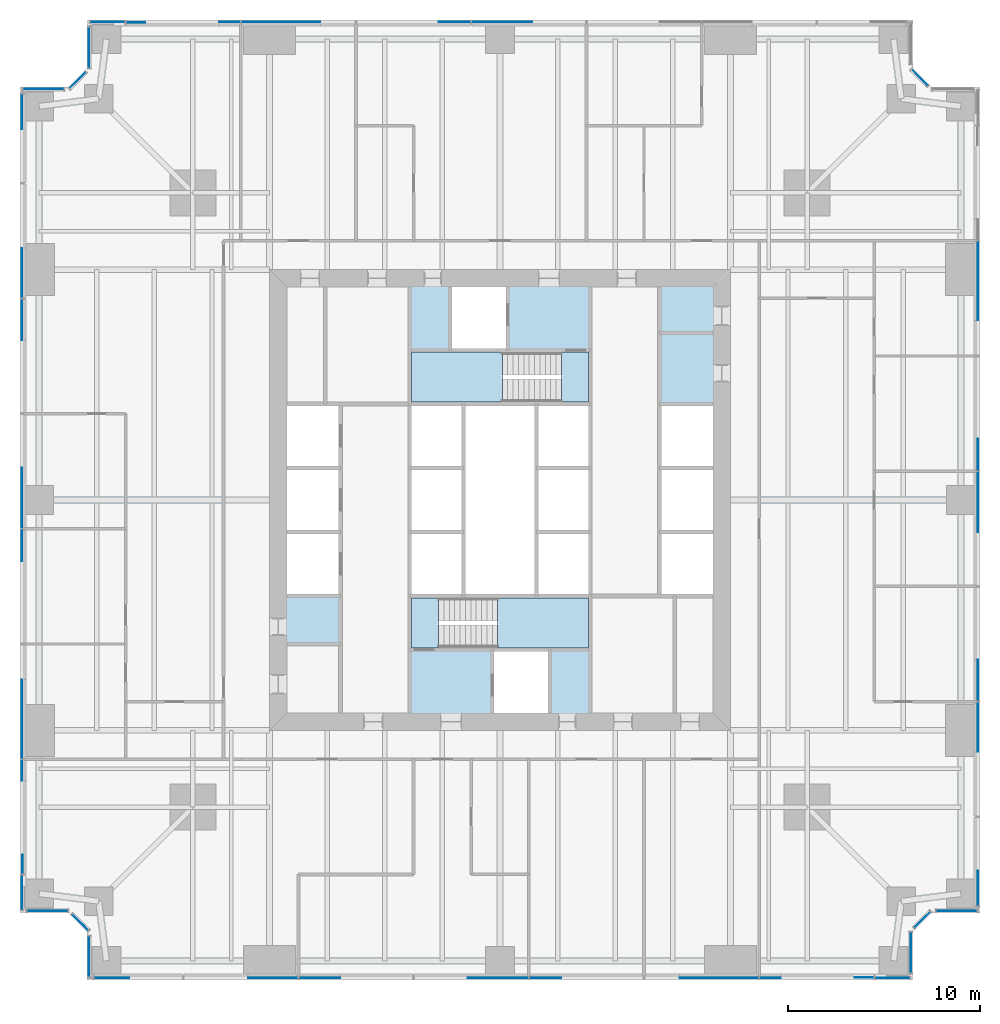
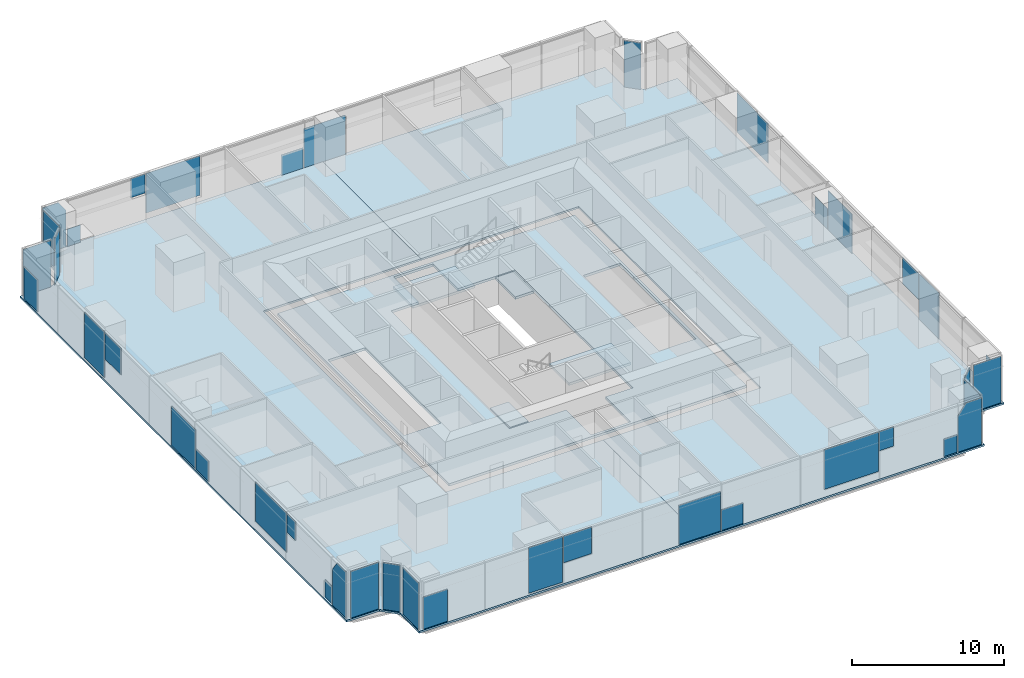
# One storey, part 8 of 14: 40 plates, 7 slabs, 16 elements without a shape of their own.
"""IFC4 building model written with IfcOpenShell, lengths in metres."""

import ifcopenshell
import ifcopenshell.guid

model = None  # the IFC model being written
_history = None  # IfcOwnerHistory: only IFC2X3 demands one
_inside = {}  # id of a spatial element -> (the spatial element, [elements in it])
_under = {}  # id of a project, library or spatial element -> (it, [spatial elements below it])
_declared = {}  # id of a project -> (the project, [libraries it declares])
_typed = {}  # id of a type object -> (the type object, [elements of that type])
_made_of = {}  # id of a material, layer set ... -> (it, [elements and type objects made of it])


def new_model(schema):
    """Start an empty IFC model of exactly this schema.

    Asked for "IFC4X3", IfcOpenShell would pick the latest addendum, in which some entities
    have other attributes; the version numbers below select the first issue.
    IFC2X3 requires an IfcOwnerHistory on every rooted entity: one is made here for all.
    """
    global model, _history
    if schema == "IFC4X3":
        model = ifcopenshell.file(schema_version=(4, 3, 0, 0))
    else:
        model = ifcopenshell.file(schema=schema)
    _inside.clear()
    _under.clear()
    _declared.clear()
    _typed.clear()
    _made_of.clear()
    _history = None
    if model.schema == "IFC2X3":
        org = make("IfcOrganization", Name="unknown")
        user = make(
            "IfcPersonAndOrganization",
            ThePerson=make("IfcPerson", FamilyName="unknown"),
            TheOrganization=org,
        )
        app = make(
            "IfcApplication",
            ApplicationDeveloper=org,
            Version="unknown",
            ApplicationFullName="unknown",
            ApplicationIdentifier="unknown",
        )
        _history = make(
            "IfcOwnerHistory",
            OwningUser=user,
            OwningApplication=app,
            ChangeAction="ADDED",
            CreationDate=0,
        )
    return model


def make(cls, **values):
    """One entity of the class cls with the attributes given. An attribute that is None is left unset."""
    return model.create_entity(
        cls, **{name: value for name, value in values.items() if value is not None}
    )


def rooted(cls, **values):
    """An entity with a GlobalId (a new one), such as an element, a storey or a relation."""
    return make(cls, GlobalId=ifcopenshell.guid.new(), OwnerHistory=_history, **values)


def si_unit(unit_type, name, prefix=None):
    """IfcSIUnit, for example si_unit("LENGTHUNIT", "METRE", prefix="MILLI")."""
    return make("IfcSIUnit", UnitType=unit_type, Prefix=prefix, Name=name)


def assignment(units):
    """IfcUnitAssignment: the units of a project."""
    return None if units is None else make("IfcUnitAssignment", Units=units)


def point(xyz):
    """IfcCartesianPoint."""
    return None if xyz is None else make("IfcCartesianPoint", Coordinates=xyz)


def direction(xyz):
    """IfcDirection."""
    return None if xyz is None else make("IfcDirection", DirectionRatios=xyz)


def frame(location, z_axis=None, x_axis=None):
    """IfcAxis2Placement3D, a coordinate frame: its origin and axes. An axis left out is left unset."""
    return make(
        "IfcAxis2Placement3D",
        Location=point(location),
        Axis=direction(z_axis),
        RefDirection=direction(x_axis),
    )


def frame_2d(location, x_axis=None):
    """IfcAxis2Placement2D, a coordinate frame in the plane: its origin and x axis."""
    return make(
        "IfcAxis2Placement2D", Location=point(location), RefDirection=direction(x_axis)
    )


def origin():
    """The frame at (0, 0, 0) with its axes left unset."""
    return frame((0.0, 0.0, 0.0))


def origin_2d():
    """The frame at (0, 0) in the plane with its x axis left unset."""
    return frame_2d((0.0, 0.0))


def place(relative_to, where):
    """IfcLocalPlacement: puts the frame where relative to a parent placement (None: the world)."""
    return make(
        "IfcLocalPlacement", PlacementRelTo=relative_to, RelativePlacement=where
    )


def context(
    kind, dimensions, precision=None, world=None, true_north=None, identifier=None
):
    """IfcGeometricRepresentationContext, for example the 3D "Model" context."""
    return make(
        "IfcGeometricRepresentationContext",
        ContextIdentifier=identifier,
        ContextType=kind,
        CoordinateSpaceDimension=dimensions,
        Precision=precision,
        WorldCoordinateSystem=world,
        TrueNorth=true_north,
    )


def subcontext(parent, identifier, kind, view, scale=None):
    """IfcGeometricRepresentationSubContext, for example "Body" below "Model"."""
    return make(
        "IfcGeometricRepresentationSubContext",
        ContextIdentifier=identifier,
        ContextType=kind,
        ParentContext=parent,
        TargetScale=scale,
        TargetView=view,
    )


def project(units=None, contexts=None):
    """IfcProject with its units and contexts."""
    return rooted(
        "IfcProject",
        Name="project",
        RepresentationContexts=contexts,
        UnitsInContext=assignment(units),
    )


def spatial(cls, under=None, at=None, **own):
    """A site, building, storey or space (cls), placed at a placement, below another one or the project."""
    s = rooted(cls, ObjectPlacement=at, **own)
    if under is not None:
        _under.setdefault(under.id(), (under, []))[1].append(s)
    return s


def polyline(points):
    """IfcPolyline through the points."""
    return make("IfcPolyline", Points=[point(p) for p in points])


def profile(cls, at=None, kind="AREA", **sizes):
    """A parametric profile (cls). Its sizes go by their IFC names, for example OverallWidth=200.0."""
    return make(cls, ProfileType=kind, Position=at, **sizes)


def rectangle(**sizes):
    """IfcRectangleProfileDef."""
    return profile("IfcRectangleProfileDef", **sizes)


def outline(outer, holes=None, kind="AREA"):
    """IfcArbitraryClosedProfileDef: a profile drawn as a closed curve; with holes, ...WithVoids."""
    if holes is None:
        return make("IfcArbitraryClosedProfileDef", ProfileType=kind, OuterCurve=outer)
    return make(
        "IfcArbitraryProfileDefWithVoids",
        ProfileType=kind,
        OuterCurve=outer,
        InnerCurves=holes,
    )


def extrude(swept, where, along, depth):
    """IfcExtrudedAreaSolid: the profile swept, set in the frame where, extruded along a direction by depth."""
    return make(
        "IfcExtrudedAreaSolid",
        SweptArea=swept,
        Position=where,
        ExtrudedDirection=direction(along),
        Depth=depth,
    )


def shape(context_of_items, identifier, shape_type, items):
    """IfcShapeRepresentation: the items that make up one representation, for example the "Body"."""
    return make(
        "IfcShapeRepresentation",
        ContextOfItems=context_of_items,
        RepresentationIdentifier=identifier,
        RepresentationType=shape_type,
        Items=items,
    )


def material(Name=None, Category=None):
    """IfcMaterial."""
    return make("IfcMaterial", Name=Name, Category=Category)


def layer(
    of_material, thickness, ventilated=None, Name=None, Category=None, Priority=None
):
    """IfcMaterialLayer: one layer of a wall or slab, of a material (None: an air gap)."""
    return make(
        "IfcMaterialLayer",
        Material=of_material,
        LayerThickness=thickness,
        IsVentilated=ventilated,
        Name=Name,
        Category=Category,
        Priority=Priority,
    )


def layer_set(layers, Name=None):
    """IfcMaterialLayerSet."""
    return make("IfcMaterialLayerSet", MaterialLayers=layers, LayerSetName=Name)


def made_of(thing, what):
    """Note that an element or type object is made of a material, layer set ...; save() writes the relation."""
    if what is not None:
        _made_of.setdefault(what.id(), (what, []))[1].append(thing)
    return thing


def type_object(cls, material=None, **own):
    """A type object (cls), such as IfcWallType, which elements share."""
    return made_of(rooted(cls, **own), material)


def element(
    cls,
    number,
    at=None,
    inside=None,
    cuts=None,
    type_object=None,
    material=None,
    context=None,
    identifier="Body",
    shape_type=None,
    held_by="IfcProductDefinitionShape",
    body=None,
    shapes=None,
    **own,
):
    """One element of the class cls, such as IfcWall. Its Tag is "e" and its number.

    at: its placement. inside: the storey or other place that contains it. cuts: it is an
    opening in that element (IfcRelVoidsElement). A single representation is given by context,
    identifier, shape_type and body (its items); several are given by shapes. held_by: the class
    of the entity that holds the representations. save() writes the other relations.
    """
    e = rooted(cls, Tag="e%d" % number, ObjectPlacement=at, **own)
    if body is not None:
        shapes = [shape(context, identifier, shape_type, body)]
    if shapes is not None:
        e.Representation = make(held_by, Representations=shapes)
    if inside is not None:
        _inside.setdefault(inside.id(), (inside, []))[1].append(e)
    if cuts is not None:
        rooted(
            "IfcRelVoidsElement", RelatingBuildingElement=cuts, RelatedOpeningElement=e
        )
    if type_object is not None:
        _typed.setdefault(type_object.id(), (type_object, []))[1].append(e)
    return made_of(e, material)


def aggregate(whole, parts):
    """IfcRelAggregates: a whole, such as a stair, and the parts it consists of."""
    return rooted("IfcRelAggregates", RelatingObject=whole, RelatedObjects=parts)


def save(model, path):
    """Write the relations noted so far, then the file.

    IfcRelAggregates (storeys below a building ...), IfcRelContainedInSpatialStructure (elements
    in a storey), IfcRelDefinesByType, IfcRelAssociatesMaterial and IfcRelDeclares: one each for
    every whole, place, type object, material and project.
    """
    for whole, parts in _under.values():
        aggregate(whole, parts)
    for where, things in _inside.values():
        rooted(
            "IfcRelContainedInSpatialStructure",
            RelatedElements=things,
            RelatingStructure=where,
        )
    for kind, things in _typed.values():
        rooted("IfcRelDefinesByType", RelatedObjects=things, RelatingType=kind)
    for what, things in _made_of.values():
        rooted("IfcRelAssociatesMaterial", RelatedObjects=things, RelatingMaterial=what)
    for by, libraries in _declared.values():
        rooted("IfcRelDeclares", RelatingContext=by, RelatedDefinitions=libraries)
    model.write(path)


model = new_model("IFC4")

# Units and contexts
model_context = context("Model", 3, precision=1e-05, world=origin(), true_north=direction((0.0, 1.0)))
body_context = subcontext(model_context, "Body", "Model", "MODEL_VIEW")
ifc_project = project(units=[si_unit("LENGTHUNIT", "METRE"), si_unit("AREAUNIT", "SQUARE_METRE"), si_unit("VOLUMEUNIT", "CUBIC_METRE"), si_unit("PLANEANGLEUNIT", "RADIAN"), si_unit("MASSUNIT", "GRAM", prefix="KILO")], contexts=[model_context])

# Site, building, storey
site_placement = place(None, origin())
site = spatial("IfcSite", under=ifc_project, at=site_placement, CompositionType="ELEMENT")
building_placement = place(site_placement, origin())
building = spatial("IfcBuilding", under=site, at=building_placement, Name="Fenwick Lantern Interchange", CompositionType="ELEMENT")
storey_placement = place(building_placement, frame((0.0, 0.0, 35.0)))
storey = spatial("IfcBuildingStorey", under=building, at=storey_placement, Name="L07", CompositionType="ELEMENT", Elevation=35.0)

# Slabs
ifc_material_1 = material(Name="Concrete f'c 35 MPa", Category="concrete")
ifc_layer_1 = layer(ifc_material_1, 0.199951171875)
ifc_layer_set_1 = layer_set([ifc_layer_1], Name="CORE FLOOR SLAB 200")
slab_type_1 = type_object("IfcSlabType", Name="CORE FLOOR SLAB 200", PredefinedType="FLOOR", material=ifc_layer_set_1)
slab_1_placement = place(storey_placement, frame((0.0, 0.0, -0.199951171875)))
element("IfcSlab", 1, at=slab_1_placement, inside=storey, type_object=slab_type_1, Name="L07/SLAB/CORE", PredefinedType="FLOOR", context=body_context, shape_type="SweptSolid", body=[
    extrude(outline(polyline([(13.699951171875, 36.300048828125), (36.300048828125, 36.300048828125), (36.300048828125, 13.699951171875), (13.699951171875, 13.699951171875), (13.699951171875, 36.300048828125)]), holes=[polyline([(13.89990234375, 20.0), (16.699951171875, 20.0), (16.699951171875, 23.333251953125), (16.699951171875, 26.666748046875), (16.699951171875, 30.0), (13.89990234375, 30.0), (13.89990234375, 26.666748046875), (13.89990234375, 23.333251953125), (13.89990234375, 20.0)]), polyline([(20.300048828125, 20.0), (20.300048828125, 17.199951171875), (24.60009765625, 17.199951171875), (24.60009765625, 13.89990234375), (27.60009765625, 13.89990234375), (27.60009765625, 17.199951171875), (29.699951171875, 17.199951171875), (29.699951171875, 20.0), (29.699951171875, 23.333251953125), (29.699951171875, 26.666748046875), (29.699951171875, 30.0), (29.699951171875, 32.800048828125), (25.39990234375, 32.800048828125), (25.39990234375, 36.10009765625), (22.39990234375, 36.10009765625), (22.39990234375, 32.800048828125), (20.300048828125, 32.800048828125), (20.300048828125, 30.0), (20.300048828125, 26.666748046875), (20.300048828125, 23.333251953125), (20.300048828125, 20.0)]), polyline([(33.300048828125, 23.333251953125), (33.300048828125, 20.0), (36.10009765625, 20.0), (36.10009765625, 23.333251953125), (36.10009765625, 26.666748046875), (36.10009765625, 30.0), (33.300048828125, 30.0), (33.300048828125, 26.666748046875), (33.300048828125, 23.333251953125)])]), origin(), (0.0, 0.0, 1.0), 0.199951171875),
])
ifc_material_2 = material(Name="Concrete f'c 35 MPa", Category="concrete")
ifc_layer_2 = layer(ifc_material_2, 0.14990234375)
ifc_layer_set_2 = layer_set([ifc_layer_2], Name="Concrete f'c 35 MPa")
slab_type_2 = type_object("IfcSlabType", Name="FLOOR SLAB 150", PredefinedType="FLOOR", material=ifc_layer_set_2)
slab_2_placement = place(storey_placement, frame((0.0, 0.0, -0.14990234375)))
element("IfcSlab", 2, at=slab_2_placement, inside=storey, type_object=slab_type_2, Name="L07/SLAB/FW", PredefinedType="FLOOR", context=body_context, shape_type="SweptSolid", body=[
    extrude(outline(polyline([(3.5, 0.0), (3.5, 2.5), (2.5, 3.5), (0.0, 3.5), (0.0, 46.5), (2.5, 46.5), (3.5, 47.5), (3.5, 50.0), (25.0, 50.0), (25.0, 37.0), (13.0, 37.0), (13.0, 13.0), (25.0, 13.0), (25.0, 0.0), (3.5, 0.0)])), origin(), (0.0, 0.0, 1.0), 0.14990234375),
])
slab_3_placement = place(storey_placement, frame((0.0, 0.0, -0.14990234375)))
element("IfcSlab", 3, at=slab_3_placement, inside=storey, type_object=slab_type_2, Name="L07/SLAB/FE", PredefinedType="FLOOR", context=body_context, shape_type="SweptSolid", body=[
    extrude(outline(polyline([(46.5, 50.0), (46.5, 47.5), (47.5, 46.5), (50.0, 46.5), (50.0, 3.5), (47.5, 3.5), (46.5, 2.5), (46.5, 0.0), (25.0, 0.0), (25.0, 13.0), (37.0, 13.0), (37.0, 37.0), (25.0, 37.0), (25.0, 50.0), (46.5, 50.0)])), origin(), (0.0, 0.0, 1.0), 0.14990234375),
])

# Curtain wall, plates
ifc_material_3 = material(Name="Aluminium curtain wall frame", Category="aluminium")
curtain_wall_type = type_object("IfcCurtainWallType", Name="OFFICE CURTAIN WALL", PredefinedType="USERDEFINED", material=ifc_material_3)
curtain_wall_1_placement = place(storey_placement, origin())
curtain_wall_1 = element("IfcCurtainWall", 4, at=curtain_wall_1_placement, inside=storey, type_object=curtain_wall_type, Name="Office curtain wall 01", ObjectType="OFFICE CURTAIN WALL", PredefinedType="USERDEFINED")
ifc_material_4 = material(Name="Vision glass, clear low-iron double glazed", Category="glass")
ifc_layer_3 = layer(ifc_material_4, 0.031982421875)
ifc_layer_set_3 = layer_set([ifc_layer_3], Name="OFFICE CURTAIN WALL PANEL 32")
plate_type = type_object("IfcPlateType", Name="OFFICE CURTAIN WALL PANEL 32", PredefinedType="CURTAIN_PANEL", material=ifc_layer_set_3)
plate_1_placement = place(storey_placement, frame((3.60009765625, 0.10009765625, 0.0), z_axis=(0.0, 0.0, 1.0), x_axis=(1.0, 0.0, 0.0)))
plate_1 = element("IfcPlate", 5, at=plate_1_placement, type_object=plate_type, Name="L07/CW/01/P00a", PredefinedType="CURTAIN_PANEL", context=body_context, shape_type="SweptSolid", body=[
    extrude(outline(polyline([(0.264892578125, 0.0), (2.094970703125, 0.0), (2.094970703125, 2.5869140625), (0.264892578125, 2.5869140625), (0.264892578125, 0.0)])), frame((0.0, 0.01611328125, 0.0), z_axis=(0.0, -1.0, 0.0), x_axis=(1.0, 0.0, 0.0)), (0.0, 0.0, 1.0), 0.031982421875),
])
plate_2_placement = place(storey_placement, frame((3.60009765625, 0.10009765625, 0.08056640625), z_axis=(0.0, 0.0, 1.0), x_axis=(1.0, 0.0, 0.0)))
plate_2 = element("IfcPlate", 6, at=plate_2_placement, type_object=plate_type, Name="L07/CW/01/P01a", PredefinedType="CURTAIN_PANEL", context=body_context, shape_type="SweptSolid", body=[
    extrude(outline(polyline([(8.27685546875, 0.0), (10.867431640625, 0.0), (10.867431640625, 3.66943359375), (8.27685546875, 3.66943359375), (8.27685546875, 0.0)])), frame((0.0, 0.01611328125, 0.0), z_axis=(0.0, -1.0, 0.0), x_axis=(1.0, 0.0, 0.0)), (0.0, 0.0, 1.0), 0.031982421875),
])
plate_3_placement = place(storey_placement, frame((3.60009765625, 0.10009765625, 1.60595703125), z_axis=(0.0, 0.0, 1.0), x_axis=(1.0, 0.0, 0.0)))
plate_3 = element("IfcPlate", 7, at=plate_3_placement, type_object=plate_type, Name="L07/CW/01/P02a", PredefinedType="CURTAIN_PANEL", context=body_context, shape_type="SweptSolid", body=[
    extrude(outline(polyline([(10.9326171875, 0.0), (13.077392578125, 0.0), (13.077392578125, 2.14404296875), (10.9326171875, 2.14404296875), (10.9326171875, 0.0)])), frame((0.0, 0.01611328125, 0.0), z_axis=(0.0, -1.0, 0.0), x_axis=(1.0, 0.0, 0.0)), (0.0, 0.0, 1.0), 0.031982421875),
])
plate_4_placement = place(storey_placement, frame((3.60009765625, 0.10009765625, 0.0), z_axis=(0.0, 0.0, 1.0), x_axis=(1.0, 0.0, 0.0)))
plate_4 = element("IfcPlate", 8, at=plate_4_placement, type_object=plate_type, Name="L07/CW/01/P03a", PredefinedType="CURTAIN_PANEL", context=body_context, shape_type="SweptSolid", body=[
    extrude(outline(polyline([(19.71240234375, 0.0), (22.867431640625, 0.0), (22.867431640625, 3.15625), (19.71240234375, 3.15625), (19.71240234375, 0.0)])), frame((0.0, 0.01611328125, 0.0), z_axis=(0.0, -1.0, 0.0), x_axis=(1.0, 0.0, 0.0)), (0.0, 0.0, 1.0), 0.031982421875),
])
plate_5_placement = place(storey_placement, frame((3.60009765625, 0.10009765625, 0.0), z_axis=(0.0, 0.0, 1.0), x_axis=(1.0, 0.0, 0.0)))
plate_5 = element("IfcPlate", 9, at=plate_5_placement, type_object=plate_type, Name="L07/CW/01/P04a", PredefinedType="CURTAIN_PANEL", context=body_context, shape_type="SweptSolid", body=[
    extrude(outline(polyline([(22.9326171875, 0.0), (24.58740234375, 0.0), (24.58740234375, 1.65380859375), (22.9326171875, 1.65380859375), (22.9326171875, 0.0)])), frame((0.0, 0.01611328125, 0.0), z_axis=(0.0, -1.0, 0.0), x_axis=(1.0, 0.0, 0.0)), (0.0, 0.0, 1.0), 0.031982421875),
])
plate_6_placement = place(storey_placement, frame((3.60009765625, 0.10009765625, 0.5693359375), z_axis=(0.0, 0.0, 1.0), x_axis=(1.0, 0.0, 0.0)))
plate_6 = element("IfcPlate", 10, at=plate_6_placement, type_object=plate_type, Name="L07/CW/01/P05a", PredefinedType="CURTAIN_PANEL", context=body_context, shape_type="SweptSolid", body=[
    extrude(outline(polyline([(30.757568359375, 0.0), (34.867431640625, 0.0), (34.867431640625, 3.1806640625), (30.757568359375, 3.1806640625), (30.757568359375, 0.0)])), frame((0.0, 0.01611328125, 0.0), z_axis=(0.0, -1.0, 0.0), x_axis=(1.0, 0.0, 0.0)), (0.0, 0.0, 1.0), 0.031982421875),
])
plate_7_placement = place(storey_placement, frame((3.60009765625, 0.10009765625, 2.207763671875), z_axis=(0.0, 0.0, 1.0), x_axis=(1.0, 0.0, 0.0)))
plate_7 = element("IfcPlate", 11, at=plate_7_placement, type_object=plate_type, Name="L07/CW/01/P06a", PredefinedType="CURTAIN_PANEL", context=body_context, shape_type="SweptSolid", body=[
    extrude(outline(polyline([(34.9326171875, 0.0), (36.027587890625, 0.0), (36.027587890625, 1.542236328125), (34.9326171875, 1.542236328125), (34.9326171875, 0.0)])), frame((0.0, 0.01611328125, 0.0), z_axis=(0.0, -1.0, 0.0), x_axis=(1.0, 0.0, 0.0)), (0.0, 0.0, 1.0), 0.031982421875),
])
plate_8_placement = place(storey_placement, frame((3.60009765625, 0.10009765625, 0.0), z_axis=(0.0, 0.0, 1.0), x_axis=(1.0, 0.0, 0.0)))
plate_8 = element("IfcPlate", 12, at=plate_8_placement, type_object=plate_type, Name="L07/CW/01/P06b", PredefinedType="CURTAIN_PANEL", context=body_context, shape_type="SweptSolid", body=[
    extrude(outline(polyline([(39.87060546875, 0.0), (40.867431640625, 0.0), (40.867431640625, 1.406982421875), (39.87060546875, 1.406982421875), (39.87060546875, 0.0)])), frame((0.0, 0.0498046875, 0.0), z_axis=(0.0, -1.0, 0.0), x_axis=(1.0, 0.0, 0.0)), (0.0, 0.0, 1.0), 0.031982421875),
])
plate_9_placement = place(storey_placement, frame((3.60009765625, 0.10009765625, 0.0), z_axis=(0.0, 0.0, 1.0), x_axis=(1.0, 0.0, 0.0)))
plate_9 = element("IfcPlate", 13, at=plate_9_placement, type_object=plate_type, Name="L07/CW/01/P07a", PredefinedType="CURTAIN_PANEL", context=body_context, shape_type="SweptSolid", body=[
    extrude(outline(polyline([(40.9326171875, 0.0), (42.735107421875, 0.0), (42.735107421875, 3.75), (41.527587890625, 3.75), (40.9326171875, 2.90869140625), (40.9326171875, 0.0)])), frame((0.0, 0.01611328125, 0.0), z_axis=(0.0, -1.0, 0.0), x_axis=(1.0, 0.0, 0.0)), (0.0, 0.0, 1.0), 0.031982421875),
])
aggregate(curtain_wall_1, [plate_1, plate_2, plate_3, plate_4, plate_5, plate_6, plate_7, plate_8, plate_9])

# Curtain wall, plate
curtain_wall_2_placement = place(storey_placement, origin())
curtain_wall_2 = element("IfcCurtainWall", 14, at=curtain_wall_2_placement, inside=storey, type_object=curtain_wall_type, Name="Office curtain wall 02", ObjectType="OFFICE CURTAIN WALL", PredefinedType="USERDEFINED")
plate_10_placement = place(storey_placement, frame((46.39990234375, 1.420654296875, 0.0), z_axis=(0.0, 0.0, 1.0), x_axis=(0.0, 1.0, 0.0)))
plate_10 = element("IfcPlate", 15, at=plate_10_placement, type_object=plate_type, Name="L07/CW/02/P00", PredefinedType="CURTAIN_PANEL", context=body_context, shape_type="SweptSolid", body=[
    extrude(rectangle(XDim=2.111328125, YDim=0.031982421875, at=origin_2d()), origin(), (0.0, 0.0, 1.0), 3.75),
])
aggregate(curtain_wall_2, [plate_10])

curtain_wall_3_placement = place(storey_placement, origin())
curtain_wall_3 = element("IfcCurtainWall", 16, at=curtain_wall_3_placement, inside=storey, type_object=curtain_wall_type, Name="Office curtain wall 03", ObjectType="OFFICE CURTAIN WALL", PredefinedType="USERDEFINED")
plate_11_placement = place(storey_placement, frame((47.0, 3.141357421875, 0.0), z_axis=(0.0, 0.0, 1.0), x_axis=(0.707106781187, 0.707106781187, 0.0)))
plate_11 = element("IfcPlate", 17, at=plate_11_placement, type_object=plate_type, Name="L07/CW/03/P00", PredefinedType="CURTAIN_PANEL", context=body_context, shape_type="SweptSolid", body=[
    extrude(rectangle(XDim=1.1669921875, YDim=0.031982421875, at=origin_2d()), origin(), (0.0, 0.0, 1.0), 3.75),
])
aggregate(curtain_wall_3, [plate_11])

curtain_wall_4_placement = place(storey_placement, origin())
curtain_wall_4 = element("IfcCurtainWall", 18, at=curtain_wall_4_placement, inside=storey, type_object=curtain_wall_type, Name="Office curtain wall 04", ObjectType="OFFICE CURTAIN WALL", PredefinedType="USERDEFINED")
plate_12_placement = place(storey_placement, frame((48.779296875, 3.60009765625, 0.0), z_axis=(0.0, 0.0, 1.0), x_axis=(1.0, 0.0, 0.0)))
plate_12 = element("IfcPlate", 19, at=plate_12_placement, type_object=plate_type, Name="L07/CW/04/P00", PredefinedType="CURTAIN_PANEL", context=body_context, shape_type="SweptSolid", body=[
    extrude(rectangle(XDim=2.111328125, YDim=0.031982421875, at=origin_2d()), origin(), (0.0, 0.0, 1.0), 3.75),
])
aggregate(curtain_wall_4, [plate_12])

# Curtain wall, plates
curtain_wall_5_placement = place(storey_placement, origin())
curtain_wall_5 = element("IfcCurtainWall", 20, at=curtain_wall_5_placement, inside=storey, type_object=curtain_wall_type, Name="Office curtain wall 05", ObjectType="OFFICE CURTAIN WALL", PredefinedType="USERDEFINED")
plate_13_placement = place(storey_placement, frame((49.89990234375, 3.60009765625, 0.0), z_axis=(0.0, 0.0, 1.0), x_axis=(0.0, 1.0, 0.0)))
plate_13 = element("IfcPlate", 21, at=plate_13_placement, type_object=plate_type, Name="L07/CW/05/P00a", PredefinedType="CURTAIN_PANEL", context=body_context, shape_type="SweptSolid", body=[
    extrude(outline(polyline([(0.264892578125, 0.0), (2.094970703125, 0.0), (2.094970703125, 2.5869140625), (0.264892578125, 2.5869140625), (0.264892578125, 0.0)])), frame((0.0, 0.01611328125, 0.0), z_axis=(0.0, -1.0, 0.0), x_axis=(1.0, 0.0, 0.0)), (0.0, 0.0, 1.0), 0.031982421875),
])
plate_14_placement = place(storey_placement, frame((49.89990234375, 3.60009765625, 0.08056640625), z_axis=(0.0, 0.0, 1.0), x_axis=(0.0, 1.0, 0.0)))
plate_14 = element("IfcPlate", 22, at=plate_14_placement, type_object=plate_type, Name="L07/CW/05/P01a", PredefinedType="CURTAIN_PANEL", context=body_context, shape_type="SweptSolid", body=[
    extrude(outline(polyline([(8.27685546875, 0.0), (10.867431640625, 0.0), (10.867431640625, 3.66943359375), (8.27685546875, 3.66943359375), (8.27685546875, 0.0)])), frame((0.0, 0.01611328125, 0.0), z_axis=(0.0, -1.0, 0.0), x_axis=(1.0, 0.0, 0.0)), (0.0, 0.0, 1.0), 0.031982421875),
])
plate_15_placement = place(storey_placement, frame((49.89990234375, 3.60009765625, 1.60595703125), z_axis=(0.0, 0.0, 1.0), x_axis=(0.0, 1.0, 0.0)))
plate_15 = element("IfcPlate", 23, at=plate_15_placement, type_object=plate_type, Name="L07/CW/05/P02a", PredefinedType="CURTAIN_PANEL", context=body_context, shape_type="SweptSolid", body=[
    extrude(outline(polyline([(10.9326171875, 0.0), (13.077392578125, 0.0), (13.077392578125, 2.14404296875), (10.9326171875, 2.14404296875), (10.9326171875, 0.0)])), frame((0.0, 0.01611328125, 0.0), z_axis=(0.0, -1.0, 0.0), x_axis=(1.0, 0.0, 0.0)), (0.0, 0.0, 1.0), 0.031982421875),
])
plate_16_placement = place(storey_placement, frame((49.89990234375, 3.60009765625, 0.0), z_axis=(0.0, 0.0, 1.0), x_axis=(0.0, 1.0, 0.0)))
plate_16 = element("IfcPlate", 24, at=plate_16_placement, type_object=plate_type, Name="L07/CW/05/P03a", PredefinedType="CURTAIN_PANEL", context=body_context, shape_type="SweptSolid", body=[
    extrude(outline(polyline([(19.71240234375, 0.0), (22.867431640625, 0.0), (22.867431640625, 3.15625), (19.71240234375, 3.15625), (19.71240234375, 0.0)])), frame((0.0, 0.01611328125, 0.0), z_axis=(0.0, -1.0, 0.0), x_axis=(1.0, 0.0, 0.0)), (0.0, 0.0, 1.0), 0.031982421875),
])
plate_17_placement = place(storey_placement, frame((49.89990234375, 3.60009765625, 0.0), z_axis=(0.0, 0.0, 1.0), x_axis=(0.0, 1.0, 0.0)))
plate_17 = element("IfcPlate", 25, at=plate_17_placement, type_object=plate_type, Name="L07/CW/05/P04a", PredefinedType="CURTAIN_PANEL", context=body_context, shape_type="SweptSolid", body=[
    extrude(outline(polyline([(22.9326171875, 0.0), (24.58740234375, 0.0), (24.58740234375, 1.65380859375), (22.9326171875, 1.65380859375), (22.9326171875, 0.0)])), frame((0.0, 0.01611328125, 0.0), z_axis=(0.0, -1.0, 0.0), x_axis=(1.0, 0.0, 0.0)), (0.0, 0.0, 1.0), 0.031982421875),
])
plate_18_placement = place(storey_placement, frame((49.89990234375, 3.60009765625, 0.5693359375), z_axis=(0.0, 0.0, 1.0), x_axis=(0.0, 1.0, 0.0)))
plate_18 = element("IfcPlate", 26, at=plate_18_placement, type_object=plate_type, Name="L07/CW/05/P05a", PredefinedType="CURTAIN_PANEL", context=body_context, shape_type="SweptSolid", body=[
    extrude(outline(polyline([(30.757568359375, 0.0), (34.867431640625, 0.0), (34.867431640625, 3.1806640625), (30.757568359375, 3.1806640625), (30.757568359375, 0.0)])), frame((0.0, 0.01611328125, 0.0), z_axis=(0.0, -1.0, 0.0), x_axis=(1.0, 0.0, 0.0)), (0.0, 0.0, 1.0), 0.031982421875),
])
aggregate(curtain_wall_5, [plate_13, plate_14, plate_15, plate_16, plate_17, plate_18])

# Curtain wall, plate
curtain_wall_6_placement = place(storey_placement, origin())
curtain_wall_6 = element("IfcCurtainWall", 27, at=curtain_wall_6_placement, inside=storey, type_object=curtain_wall_type, Name="Office curtain wall 07", ObjectType="OFFICE CURTAIN WALL", PredefinedType="USERDEFINED")
plate_19_placement = place(storey_placement, frame((46.858642578125, 47.0, 0.0), z_axis=(0.0, 0.0, 1.0), x_axis=(-0.707106781187, 0.707106781187, 0.0)))
plate_19 = element("IfcPlate", 28, at=plate_19_placement, type_object=plate_type, Name="L07/CW/07/P00", PredefinedType="CURTAIN_PANEL", context=body_context, shape_type="SweptSolid", body=[
    extrude(rectangle(XDim=1.1669921875, YDim=0.031982421875, at=origin_2d()), origin(), (0.0, 0.0, 1.0), 3.75),
])
aggregate(curtain_wall_6, [plate_19])

# Curtain wall, plates
curtain_wall_7_placement = place(storey_placement, origin())
curtain_wall_7 = element("IfcCurtainWall", 29, at=curtain_wall_7_placement, inside=storey, type_object=curtain_wall_type, Name="Office curtain wall 09", ObjectType="OFFICE CURTAIN WALL", PredefinedType="USERDEFINED")
plate_20_placement = place(storey_placement, frame((46.39990234375, 49.89990234375, 0.0), z_axis=(0.0, 0.0, 1.0), x_axis=(-1.0, 0.0, 0.0)))
plate_20 = element("IfcPlate", 30, at=plate_20_placement, type_object=plate_type, Name="L07/CW/09/P03a", PredefinedType="CURTAIN_PANEL", context=body_context, shape_type="SweptSolid", body=[
    extrude(outline(polyline([(19.71240234375, 0.0), (22.867431640625, 0.0), (22.867431640625, 3.15625), (19.71240234375, 3.15625), (19.71240234375, 0.0)])), frame((0.0, 0.01611328125, 0.0), z_axis=(0.0, -1.0, 0.0), x_axis=(1.0, 0.0, 0.0)), (0.0, 0.0, 1.0), 0.031982421875),
])
plate_21_placement = place(storey_placement, frame((46.39990234375, 49.89990234375, 0.0), z_axis=(0.0, 0.0, 1.0), x_axis=(-1.0, 0.0, 0.0)))
plate_21 = element("IfcPlate", 31, at=plate_21_placement, type_object=plate_type, Name="L07/CW/09/P04a", PredefinedType="CURTAIN_PANEL", context=body_context, shape_type="SweptSolid", body=[
    extrude(outline(polyline([(22.9326171875, 0.0), (24.58740234375, 0.0), (24.58740234375, 1.65380859375), (22.9326171875, 1.65380859375), (22.9326171875, 0.0)])), frame((0.0, 0.01611328125, 0.0), z_axis=(0.0, -1.0, 0.0), x_axis=(1.0, 0.0, 0.0)), (0.0, 0.0, 1.0), 0.031982421875),
])
plate_22_placement = place(storey_placement, frame((46.39990234375, 49.89990234375, 0.5693359375), z_axis=(0.0, 0.0, 1.0), x_axis=(-1.0, 0.0, 0.0)))
plate_22 = element("IfcPlate", 32, at=plate_22_placement, type_object=plate_type, Name="L07/CW/09/P05a", PredefinedType="CURTAIN_PANEL", context=body_context, shape_type="SweptSolid", body=[
    extrude(outline(polyline([(30.757568359375, 0.0), (34.867431640625, 0.0), (34.867431640625, 3.1806640625), (30.757568359375, 3.1806640625), (30.757568359375, 0.0)])), frame((0.0, 0.01611328125, 0.0), z_axis=(0.0, -1.0, 0.0), x_axis=(1.0, 0.0, 0.0)), (0.0, 0.0, 1.0), 0.031982421875),
])
plate_23_placement = place(storey_placement, frame((46.39990234375, 49.89990234375, 2.207763671875), z_axis=(0.0, 0.0, 1.0), x_axis=(-1.0, 0.0, 0.0)))
plate_23 = element("IfcPlate", 33, at=plate_23_placement, type_object=plate_type, Name="L07/CW/09/P06a", PredefinedType="CURTAIN_PANEL", context=body_context, shape_type="SweptSolid", body=[
    extrude(outline(polyline([(34.9326171875, 0.0), (36.027587890625, 0.0), (36.027587890625, 1.542236328125), (34.9326171875, 1.542236328125), (34.9326171875, 0.0)])), frame((0.0, 0.01611328125, 0.0), z_axis=(0.0, -1.0, 0.0), x_axis=(1.0, 0.0, 0.0)), (0.0, 0.0, 1.0), 0.031982421875),
])
plate_24_placement = place(storey_placement, frame((46.39990234375, 49.89990234375, 0.0), z_axis=(0.0, 0.0, 1.0), x_axis=(-1.0, 0.0, 0.0)))
plate_24 = element("IfcPlate", 34, at=plate_24_placement, type_object=plate_type, Name="L07/CW/09/P06b", PredefinedType="CURTAIN_PANEL", context=body_context, shape_type="SweptSolid", body=[
    extrude(outline(polyline([(39.87060546875, 0.0), (40.867431640625, 0.0), (40.867431640625, 1.406982421875), (39.87060546875, 1.406982421875), (39.87060546875, 0.0)])), frame((0.0, 0.0498046875, 0.0), z_axis=(0.0, -1.0, 0.0), x_axis=(1.0, 0.0, 0.0)), (0.0, 0.0, 1.0), 0.031982421875),
])
plate_25_placement = place(storey_placement, frame((46.39990234375, 49.89990234375, 0.0), z_axis=(0.0, 0.0, 1.0), x_axis=(-1.0, 0.0, 0.0)))
plate_25 = element("IfcPlate", 35, at=plate_25_placement, type_object=plate_type, Name="L07/CW/09/P07a", PredefinedType="CURTAIN_PANEL", context=body_context, shape_type="SweptSolid", body=[
    extrude(outline(polyline([(40.9326171875, 0.0), (42.735107421875, 0.0), (42.735107421875, 3.75), (41.527587890625, 3.75), (40.9326171875, 2.90869140625), (40.9326171875, 0.0)])), frame((0.0, 0.01611328125, 0.0), z_axis=(0.0, -1.0, 0.0), x_axis=(1.0, 0.0, 0.0)), (0.0, 0.0, 1.0), 0.031982421875),
])
aggregate(curtain_wall_7, [plate_20, plate_21, plate_22, plate_23, plate_24, plate_25])

# Curtain wall, plate
curtain_wall_8_placement = place(storey_placement, origin())
curtain_wall_8 = element("IfcCurtainWall", 36, at=curtain_wall_8_placement, inside=storey, type_object=curtain_wall_type, Name="Office curtain wall 10", ObjectType="OFFICE CURTAIN WALL", PredefinedType="USERDEFINED")
plate_26_placement = place(storey_placement, frame((3.60009765625, 48.579345703125, 0.0), z_axis=(0.0, 0.0, 1.0), x_axis=(0.0, -1.0, 0.0)))
plate_26 = element("IfcPlate", 37, at=plate_26_placement, type_object=plate_type, Name="L07/CW/10/P00", PredefinedType="CURTAIN_PANEL", context=body_context, shape_type="SweptSolid", body=[
    extrude(rectangle(XDim=2.111328125, YDim=0.031982421875, at=origin_2d()), origin(), (0.0, 0.0, 1.0), 3.75),
])
aggregate(curtain_wall_8, [plate_26])

curtain_wall_9_placement = place(storey_placement, origin())
curtain_wall_9 = element("IfcCurtainWall", 38, at=curtain_wall_9_placement, inside=storey, type_object=curtain_wall_type, Name="Office curtain wall 11", ObjectType="OFFICE CURTAIN WALL", PredefinedType="USERDEFINED")
plate_27_placement = place(storey_placement, frame((3.0, 46.858642578125, 0.0), z_axis=(0.0, 0.0, 1.0), x_axis=(-0.707106781187, -0.707106781187, 0.0)))
plate_27 = element("IfcPlate", 39, at=plate_27_placement, type_object=plate_type, Name="L07/CW/11/P00", PredefinedType="CURTAIN_PANEL", context=body_context, shape_type="SweptSolid", body=[
    extrude(rectangle(XDim=1.1669921875, YDim=0.031982421875, at=origin_2d()), origin(), (0.0, 0.0, 1.0), 3.75),
])
aggregate(curtain_wall_9, [plate_27])

curtain_wall_10_placement = place(storey_placement, origin())
curtain_wall_10 = element("IfcCurtainWall", 40, at=curtain_wall_10_placement, inside=storey, type_object=curtain_wall_type, Name="Office curtain wall 12", ObjectType="OFFICE CURTAIN WALL", PredefinedType="USERDEFINED")
plate_28_placement = place(storey_placement, frame((1.220703125, 46.39990234375, 0.0), z_axis=(0.0, 0.0, 1.0), x_axis=(-1.0, 0.0, 0.0)))
plate_28 = element("IfcPlate", 41, at=plate_28_placement, type_object=plate_type, Name="L07/CW/12/P00", PredefinedType="CURTAIN_PANEL", context=body_context, shape_type="SweptSolid", body=[
    extrude(rectangle(XDim=2.111328125, YDim=0.031982421875, at=origin_2d()), origin(), (0.0, 0.0, 1.0), 3.75),
])
aggregate(curtain_wall_10, [plate_28])

# Curtain wall, plates
curtain_wall_11_placement = place(storey_placement, origin())
curtain_wall_11 = element("IfcCurtainWall", 42, at=curtain_wall_11_placement, inside=storey, type_object=curtain_wall_type, Name="Office curtain wall 13", ObjectType="OFFICE CURTAIN WALL", PredefinedType="USERDEFINED")
plate_29_placement = place(storey_placement, frame((0.10009765625, 46.39990234375, 0.0), z_axis=(0.0, 0.0, 1.0), x_axis=(0.0, -1.0, 0.0)))
plate_29 = element("IfcPlate", 43, at=plate_29_placement, type_object=plate_type, Name="L07/CW/13/P00a", PredefinedType="CURTAIN_PANEL", context=body_context, shape_type="SweptSolid", body=[
    extrude(outline(polyline([(0.264892578125, 0.0), (2.094970703125, 0.0), (2.094970703125, 2.5869140625), (0.264892578125, 2.5869140625), (0.264892578125, 0.0)])), frame((0.0, 0.01611328125, 0.0), z_axis=(0.0, -1.0, 0.0), x_axis=(1.0, 0.0, 0.0)), (0.0, 0.0, 1.0), 0.031982421875),
])
plate_30_placement = place(storey_placement, frame((0.10009765625, 46.39990234375, 0.08056640625), z_axis=(0.0, 0.0, 1.0), x_axis=(0.0, -1.0, 0.0)))
plate_30 = element("IfcPlate", 44, at=plate_30_placement, type_object=plate_type, Name="L07/CW/13/P01a", PredefinedType="CURTAIN_PANEL", context=body_context, shape_type="SweptSolid", body=[
    extrude(outline(polyline([(8.27685546875, 0.0), (10.867431640625, 0.0), (10.867431640625, 3.66943359375), (8.27685546875, 3.66943359375), (8.27685546875, 0.0)])), frame((0.0, 0.01611328125, 0.0), z_axis=(0.0, -1.0, 0.0), x_axis=(1.0, 0.0, 0.0)), (0.0, 0.0, 1.0), 0.031982421875),
])
plate_31_placement = place(storey_placement, frame((0.10009765625, 46.39990234375, 1.60595703125), z_axis=(0.0, 0.0, 1.0), x_axis=(0.0, -1.0, 0.0)))
plate_31 = element("IfcPlate", 45, at=plate_31_placement, type_object=plate_type, Name="L07/CW/13/P02a", PredefinedType="CURTAIN_PANEL", context=body_context, shape_type="SweptSolid", body=[
    extrude(outline(polyline([(10.9326171875, 0.0), (13.077392578125, 0.0), (13.077392578125, 2.14404296875), (10.9326171875, 2.14404296875), (10.9326171875, 0.0)])), frame((0.0, 0.01611328125, 0.0), z_axis=(0.0, -1.0, 0.0), x_axis=(1.0, 0.0, 0.0)), (0.0, 0.0, 1.0), 0.031982421875),
])
plate_32_placement = place(storey_placement, frame((0.10009765625, 46.39990234375, 0.0), z_axis=(0.0, 0.0, 1.0), x_axis=(0.0, -1.0, 0.0)))
plate_32 = element("IfcPlate", 46, at=plate_32_placement, type_object=plate_type, Name="L07/CW/13/P03a", PredefinedType="CURTAIN_PANEL", context=body_context, shape_type="SweptSolid", body=[
    extrude(outline(polyline([(19.71240234375, 0.0), (22.867431640625, 0.0), (22.867431640625, 3.15625), (19.71240234375, 3.15625), (19.71240234375, 0.0)])), frame((0.0, 0.01611328125, 0.0), z_axis=(0.0, -1.0, 0.0), x_axis=(1.0, 0.0, 0.0)), (0.0, 0.0, 1.0), 0.031982421875),
])
plate_33_placement = place(storey_placement, frame((0.10009765625, 46.39990234375, 0.0), z_axis=(0.0, 0.0, 1.0), x_axis=(0.0, -1.0, 0.0)))
plate_33 = element("IfcPlate", 47, at=plate_33_placement, type_object=plate_type, Name="L07/CW/13/P04a", PredefinedType="CURTAIN_PANEL", context=body_context, shape_type="SweptSolid", body=[
    extrude(outline(polyline([(22.9326171875, 0.0), (24.58740234375, 0.0), (24.58740234375, 1.65380859375), (22.9326171875, 1.65380859375), (22.9326171875, 0.0)])), frame((0.0, 0.01611328125, 0.0), z_axis=(0.0, -1.0, 0.0), x_axis=(1.0, 0.0, 0.0)), (0.0, 0.0, 1.0), 0.031982421875),
])
plate_34_placement = place(storey_placement, frame((0.10009765625, 46.39990234375, 0.5693359375), z_axis=(0.0, 0.0, 1.0), x_axis=(0.0, -1.0, 0.0)))
plate_34 = element("IfcPlate", 48, at=plate_34_placement, type_object=plate_type, Name="L07/CW/13/P05a", PredefinedType="CURTAIN_PANEL", context=body_context, shape_type="SweptSolid", body=[
    extrude(outline(polyline([(30.757568359375, 0.0), (34.867431640625, 0.0), (34.867431640625, 3.1806640625), (30.757568359375, 3.1806640625), (30.757568359375, 0.0)])), frame((0.0, 0.01611328125, 0.0), z_axis=(0.0, -1.0, 0.0), x_axis=(1.0, 0.0, 0.0)), (0.0, 0.0, 1.0), 0.031982421875),
])
plate_35_placement = place(storey_placement, frame((0.10009765625, 46.39990234375, 2.207763671875), z_axis=(0.0, 0.0, 1.0), x_axis=(0.0, -1.0, 0.0)))
plate_35 = element("IfcPlate", 49, at=plate_35_placement, type_object=plate_type, Name="L07/CW/13/P06a", PredefinedType="CURTAIN_PANEL", context=body_context, shape_type="SweptSolid", body=[
    extrude(outline(polyline([(34.9326171875, 0.0), (36.027587890625, 0.0), (36.027587890625, 1.542236328125), (34.9326171875, 1.542236328125), (34.9326171875, 0.0)])), frame((0.0, 0.01611328125, 0.0), z_axis=(0.0, -1.0, 0.0), x_axis=(1.0, 0.0, 0.0)), (0.0, 0.0, 1.0), 0.031982421875),
])
plate_36_placement = place(storey_placement, frame((0.10009765625, 46.39990234375, 0.0), z_axis=(0.0, 0.0, 1.0), x_axis=(0.0, -1.0, 0.0)))
plate_36 = element("IfcPlate", 50, at=plate_36_placement, type_object=plate_type, Name="L07/CW/13/P06b", PredefinedType="CURTAIN_PANEL", context=body_context, shape_type="SweptSolid", body=[
    extrude(outline(polyline([(39.87060546875, 0.0), (40.867431640625, 0.0), (40.867431640625, 1.406982421875), (39.87060546875, 1.406982421875), (39.87060546875, 0.0)])), frame((0.0, 0.0498046875, 0.0), z_axis=(0.0, -1.0, 0.0), x_axis=(1.0, 0.0, 0.0)), (0.0, 0.0, 1.0), 0.031982421875),
])
plate_37_placement = place(storey_placement, frame((0.10009765625, 46.39990234375, 0.0), z_axis=(0.0, 0.0, 1.0), x_axis=(0.0, -1.0, 0.0)))
plate_37 = element("IfcPlate", 51, at=plate_37_placement, type_object=plate_type, Name="L07/CW/13/P07a", PredefinedType="CURTAIN_PANEL", context=body_context, shape_type="SweptSolid", body=[
    extrude(outline(polyline([(40.9326171875, 0.0), (42.735107421875, 0.0), (42.735107421875, 3.75), (41.527587890625, 3.75), (40.9326171875, 2.90869140625), (40.9326171875, 0.0)])), frame((0.0, 0.01611328125, 0.0), z_axis=(0.0, -1.0, 0.0), x_axis=(1.0, 0.0, 0.0)), (0.0, 0.0, 1.0), 0.031982421875),
])
aggregate(curtain_wall_11, [plate_29, plate_30, plate_31, plate_32, plate_33, plate_34, plate_35, plate_36, plate_37])

# Curtain wall, plate
curtain_wall_12_placement = place(storey_placement, origin())
curtain_wall_12 = element("IfcCurtainWall", 52, at=curtain_wall_12_placement, inside=storey, type_object=curtain_wall_type, Name="Office curtain wall 14", ObjectType="OFFICE CURTAIN WALL", PredefinedType="USERDEFINED")
plate_38_placement = place(storey_placement, frame((1.420654296875, 3.60009765625, 0.0), z_axis=(0.0, 0.0, 1.0), x_axis=(1.0, 0.0, 0.0)))
plate_38 = element("IfcPlate", 53, at=plate_38_placement, type_object=plate_type, Name="L07/CW/14/P00", PredefinedType="CURTAIN_PANEL", context=body_context, shape_type="SweptSolid", body=[
    extrude(rectangle(XDim=2.111328125, YDim=0.031982421875, at=origin_2d()), origin(), (0.0, 0.0, 1.0), 3.75),
])
aggregate(curtain_wall_12, [plate_38])

curtain_wall_13_placement = place(storey_placement, origin())
curtain_wall_13 = element("IfcCurtainWall", 54, at=curtain_wall_13_placement, inside=storey, type_object=curtain_wall_type, Name="Office curtain wall 15", ObjectType="OFFICE CURTAIN WALL", PredefinedType="USERDEFINED")
plate_39_placement = place(storey_placement, frame((3.141357421875, 3.0, 0.0), z_axis=(0.0, 0.0, 1.0), x_axis=(0.707106781187, -0.707106781187, 0.0)))
plate_39 = element("IfcPlate", 55, at=plate_39_placement, type_object=plate_type, Name="L07/CW/15/P00", PredefinedType="CURTAIN_PANEL", context=body_context, shape_type="SweptSolid", body=[
    extrude(rectangle(XDim=1.1669921875, YDim=0.031982421875, at=origin_2d()), origin(), (0.0, 0.0, 1.0), 3.75),
])
aggregate(curtain_wall_13, [plate_39])

curtain_wall_14_placement = place(storey_placement, origin())
curtain_wall_14 = element("IfcCurtainWall", 56, at=curtain_wall_14_placement, inside=storey, type_object=curtain_wall_type, Name="Office curtain wall 16", ObjectType="OFFICE CURTAIN WALL", PredefinedType="USERDEFINED")
plate_40_placement = place(storey_placement, frame((3.60009765625, 1.220703125, 0.0), z_axis=(0.0, 0.0, 1.0), x_axis=(0.0, -1.0, 0.0)))
plate_40 = element("IfcPlate", 57, at=plate_40_placement, type_object=plate_type, Name="L07/CW/16/P00", PredefinedType="CURTAIN_PANEL", context=body_context, shape_type="SweptSolid", body=[
    extrude(rectangle(XDim=2.111328125, YDim=0.031982421875, at=origin_2d()), origin(), (0.0, 0.0, 1.0), 3.75),
])
aggregate(curtain_wall_14, [plate_40])

# Stair, slabs
ifc_material_5 = material(Name="Precast concrete f'c 35 MPa", Category="concrete")
stair_type = type_object("IfcStairType", Name="EXIT STAIR 1200", PredefinedType="HALF_TURN_STAIR", material=ifc_material_5)
stair_1_placement = place(storey_placement, origin())
stair_1 = element("IfcStair", 58, at=stair_1_placement, inside=storey, type_object=stair_type, Name="Exit stair ST1", PredefinedType="HALF_TURN_STAIR")
ifc_layer_4 = layer(ifc_material_1, 0.199951171875)
ifc_layer_set_4 = layer_set([ifc_layer_4], Name="STAIR LANDING 200")
slab_type_3 = type_object("IfcSlabType", Name="STAIR LANDING 200", PredefinedType="LANDING", material=ifc_layer_set_4)
slab_4_placement = place(storey_placement, frame((0.0, 0.0, 1.800048828125)))
slab_4 = element("IfcSlab", 59, at=slab_4_placement, type_object=slab_type_3, Name="ST1 landing 1", PredefinedType="LANDING", context=body_context, shape_type="SweptSolid", body=[
    extrude(outline(polyline([(24.8798828125, 17.300048828125), (29.60009765625, 17.300048828125), (29.60009765625, 19.89990234375), (24.8798828125, 19.89990234375), (24.8798828125, 17.300048828125)])), origin(), (0.0, 0.0, 1.0), 0.199951171875),
])
slab_5_placement = place(storey_placement, frame((0.0, 0.0, -0.199951171875)))
slab_5 = element("IfcSlab", 60, at=slab_5_placement, type_object=slab_type_3, Name="ST1 landing 2", PredefinedType="LANDING", context=body_context, shape_type="SweptSolid", body=[
    extrude(outline(polyline([(20.39990234375, 17.300048828125), (21.800048828125, 17.300048828125), (21.800048828125, 19.89990234375), (20.39990234375, 19.89990234375), (20.39990234375, 17.300048828125)])), origin(), (0.0, 0.0, 1.0), 0.199951171875),
])
aggregate(stair_1, [slab_4, slab_5])

stair_2_placement = place(storey_placement, origin())
stair_2 = element("IfcStair", 61, at=stair_2_placement, inside=storey, type_object=stair_type, Name="Exit stair ST2", PredefinedType="HALF_TURN_STAIR")
slab_6_placement = place(storey_placement, frame((0.0, 0.0, 1.800048828125)))
slab_6 = element("IfcSlab", 62, at=slab_6_placement, type_object=slab_type_3, Name="ST2 landing 1", PredefinedType="LANDING", context=body_context, shape_type="SweptSolid", body=[
    extrude(outline(polyline([(25.1201171875, 32.699951171875), (20.39990234375, 32.699951171875), (20.39990234375, 30.10009765625), (25.1201171875, 30.10009765625), (25.1201171875, 32.699951171875)])), origin(), (0.0, 0.0, 1.0), 0.199951171875),
])
slab_7_placement = place(storey_placement, frame((0.0, 0.0, -0.199951171875)))
slab_7 = element("IfcSlab", 63, at=slab_7_placement, type_object=slab_type_3, Name="ST2 landing 2", PredefinedType="LANDING", context=body_context, shape_type="SweptSolid", body=[
    extrude(outline(polyline([(29.60009765625, 32.699951171875), (28.199951171875, 32.699951171875), (28.199951171875, 30.10009765625), (29.60009765625, 30.10009765625), (29.60009765625, 32.699951171875)])), origin(), (0.0, 0.0, 1.0), 0.199951171875),
])
aggregate(stair_2, [slab_6, slab_7])

save(model, "model.ifc")
